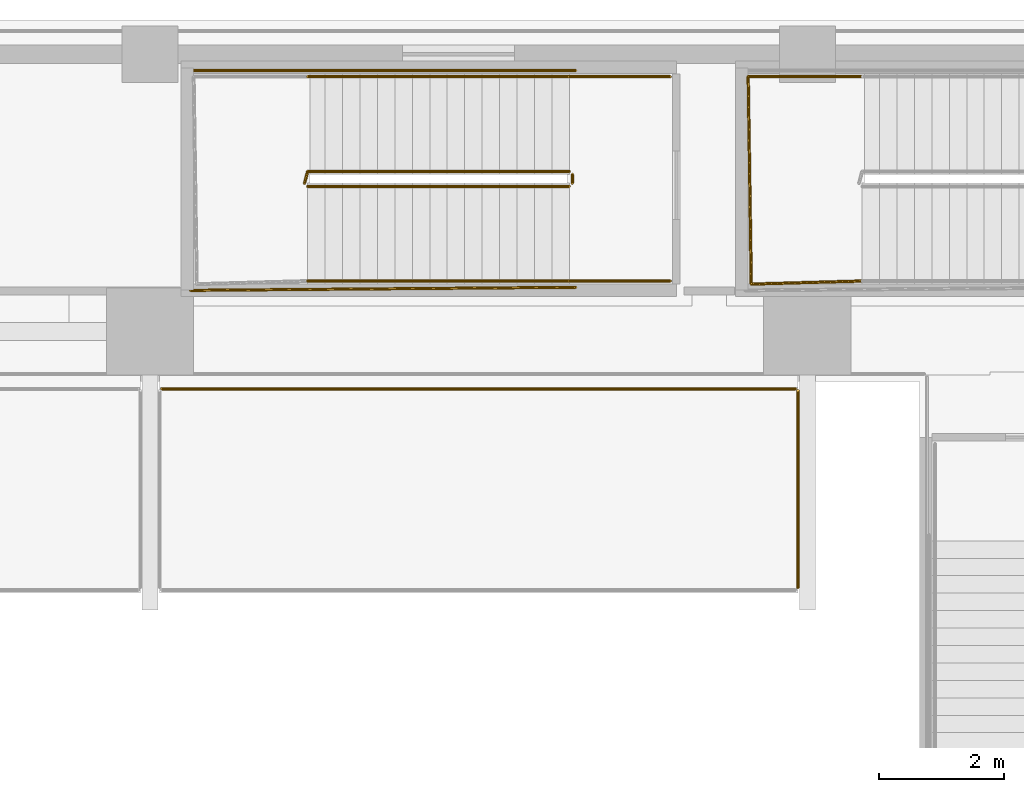
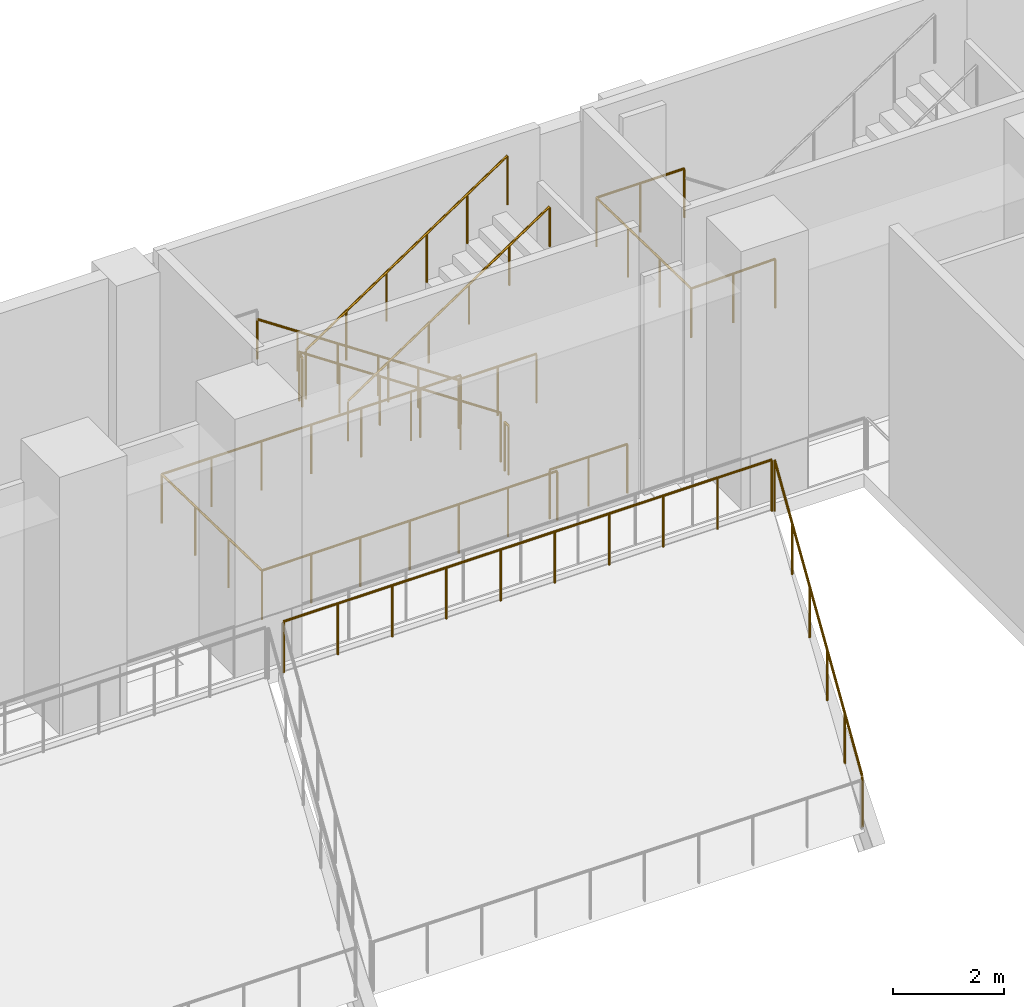
# One storey, part 25 of 30: 11 railings.
"""IFC4 building model written with IfcOpenShell, lengths in metres."""

from ifc_helpers import new_model, si_unit, direction, frame, origin, origin_2d, place, context, subcontext, project, spatial, circle, extrude, material, layer, layer_set, type_object, element, save


model = new_model("IFC4")

# Units and contexts
model_context = context("Model", 3, precision=1e-05, world=origin(), true_north=direction((0.0, 1.0)))
body_context = subcontext(model_context, "Body", "Model", "MODEL_VIEW")
ifc_project = project(units=[si_unit("LENGTHUNIT", "METRE"), si_unit("AREAUNIT", "SQUARE_METRE"), si_unit("VOLUMEUNIT", "CUBIC_METRE"), si_unit("PLANEANGLEUNIT", "RADIAN"), si_unit("MASSUNIT", "GRAM", prefix="KILO")], contexts=[model_context])

# Site, building, storey
site_placement = place(None, origin())
site = spatial("IfcSite", under=ifc_project, at=site_placement, CompositionType="ELEMENT")
building_placement = place(site_placement, origin())
building = spatial("IfcBuilding", under=site, at=building_placement, Name="Ndaravel Arena Tower", CompositionType="ELEMENT")
storey_placement = place(building_placement, frame((0.0, 0.0, 6.0)))
storey = spatial("IfcBuildingStorey", under=building, at=storey_placement, Name="L01", CompositionType="ELEMENT", Elevation=6.0)

# Railings
ifc_material_1 = material(Name="Steel S355", Category="steel")
ifc_layer_1 = layer(ifc_material_1, 0.06005859375)
ifc_layer_set_1 = layer_set([ifc_layer_1], Name="Steel S355")
railing_type_1 = type_object("IfcRailingType", Name="RAIL-STAIR-GD1100", PredefinedType="GUARDRAIL", material=ifc_layer_set_1)
railing_1_placement = place(storey_placement, frame((60.179931640625, 45.570068359375, 0.1875)))
element("IfcRailing", 1, at=railing_1_placement, inside=storey, type_object=railing_type_1, Name="L01 ST-A10 stair guard 1", PredefinedType="GUARDRAIL", context=body_context, shape_type="SweptSolid", body=[
    extrude(circle(Radius=0.02392578125, at=origin_2d()), frame((0.0, 0.0, 1.076171875), z_axis=(-0.830904186295, 0.0, 0.556415522067), x_axis=(0.0, -1.0, 0.0)), (0.0, 0.0, 1.0), 5.0546875),
    extrude(circle(Radius=0.02392578125, at=origin_2d()), frame((-4.199951171875, 0.0, 3.888671875), z_axis=(-0.25449329928, -0.967074537263, 0.0), x_axis=(0.967074537263, -0.25449329928, 0.0)), (0.0, 0.0, 1.0), 0.19677734375),
    extrude(circle(Radius=0.02099609375, at=origin_2d()), origin(), (0.0, 0.0, 1.0), 1.052001953125),
    extrude(circle(Radius=0.02099609375, at=origin_2d()), frame((-0.840087890625, 0.0, 0.5625)), (0.0, 0.0, 1.0), 1.052001953125),
    extrude(circle(Radius=0.02099609375, at=origin_2d()), frame((-1.679931640625, 0.0, 1.125)), (0.0, 0.0, 1.0), 1.052001953125),
    extrude(circle(Radius=0.02099609375, at=origin_2d()), frame((-2.52001953125, 0.0, 1.6875)), (0.0, 0.0, 1.0), 1.052001953125),
    extrude(circle(Radius=0.02099609375, at=origin_2d()), frame((-3.35986328125, 0.0, 2.25)), (0.0, 0.0, 1.0), 1.052001953125),
    extrude(circle(Radius=0.02099609375, at=origin_2d()), frame((-4.199951171875, 0.0, 2.8125)), (0.0, 0.0, 1.0), 1.052001953125),
    extrude(circle(Radius=0.02099609375, at=origin_2d()), frame((-4.25, -0.190185546875, 2.8125)), (0.0, 0.0, 1.0), 1.052001953125),
])
railing_2_placement = place(storey_placement, frame((55.97998046875, 45.330078125, 3.1875)))
element("IfcRailing", 2, at=railing_2_placement, inside=storey, type_object=railing_type_1, Name="L01 ST-A10 stair guard 3", PredefinedType="GUARDRAIL", context=body_context, shape_type="SweptSolid", body=[
    extrude(circle(Radius=0.02392578125, at=origin_2d()), frame((0.0, 0.0, 1.076171875), z_axis=(0.830904186295, 0.0, 0.556415522067), x_axis=(0.0, 1.0, 0.0)), (0.0, 0.0, 1.0), 5.0546875),
    extrude(circle(Radius=0.02099609375, at=origin_2d()), origin(), (0.0, 0.0, 1.0), 1.052001953125),
    extrude(circle(Radius=0.02099609375, at=origin_2d()), frame((0.840087890625, 0.0, 0.5625)), (0.0, 0.0, 1.0), 1.052001953125),
    extrude(circle(Radius=0.02099609375, at=origin_2d()), frame((1.679931640625, 0.0, 1.125)), (0.0, 0.0, 1.0), 1.052001953125),
    extrude(circle(Radius=0.02099609375, at=origin_2d()), frame((2.52001953125, 0.0, 1.6875)), (0.0, 0.0, 1.0), 1.052001953125),
    extrude(circle(Radius=0.02099609375, at=origin_2d()), frame((3.35986328125, 0.0, 2.25)), (0.0, 0.0, 1.0), 1.052001953125),
    extrude(circle(Radius=0.02099609375, at=origin_2d()), frame((4.199951171875, 0.0, 2.8125)), (0.0, 0.0, 1.0), 1.052001953125),
])
railing_3_placement = place(storey_placement, frame((60.22998046875, 45.52001953125, 0.0)))
element("IfcRailing", 3, at=railing_3_placement, inside=storey, type_object=railing_type_1, Name="L01 ST-A10 stair guard 4", PredefinedType="GUARDRAIL", context=body_context, shape_type="SweptSolid", body=[
    extrude(circle(Radius=0.02392578125, at=origin_2d()), frame((0.0, 0.0, 1.076171875), z_axis=(0.0, -1.0, 0.0), x_axis=(1.0, 0.0, 0.0)), (0.0, 0.0, 1.0), 0.14013671875),
    extrude(circle(Radius=0.02099609375, at=origin_2d()), origin(), (0.0, 0.0, 1.0), 1.052001953125),
    extrude(circle(Radius=0.02099609375, at=origin_2d()), frame((0.0, -0.14013671875, 0.0)), (0.0, 0.0, 1.0), 1.052001953125),
])
for number, where, name in (
    (4, (61.800048828125, 47.090087890625, 0.0), "L01 ST-A10 stair guard 5"),
    (5, (61.800048828125, 43.81005859375, 0.0), "L01 ST-A10 stair guard 6"),
):
    element("IfcRailing", number, at=place(storey_placement, frame(where)), inside=storey, type_object=railing_type_1, Name=name, PredefinedType="GUARDRAIL", context=body_context, shape_type="SweptSolid", body=[
        extrude(circle(Radius=0.02392578125, at=origin_2d()), frame((0.0, 0.0, 1.076171875), z_axis=(-1.0, 0.0, 0.0), x_axis=(0.0, -1.0, 0.0)), (0.0, 0.0, 1.0), 1.6201171875),
        extrude(circle(Radius=0.02099609375, at=origin_2d()), origin(), (0.0, 0.0, 1.0), 1.052001953125),
        extrude(circle(Radius=0.02099609375, at=origin_2d()), frame((-0.81005859375, 0.0, 0.0)), (0.0, 0.0, 1.0), 1.052001953125),
        extrude(circle(Radius=0.02099609375, at=origin_2d()), frame((-1.6201171875, 0.0, 0.0)), (0.0, 0.0, 1.0), 1.052001953125),
    ])
railing_4_placement = place(storey_placement, frame((60.280029296875, 47.18994140625, 0.0)))
element("IfcRailing", 6, at=railing_4_placement, inside=storey, type_object=railing_type_1, Name="L01 ST-A10 stair guard 7", PredefinedType="GUARDRAIL", context=body_context, shape_type="SweptSolid", body=[
    extrude(circle(Radius=0.02392578125, at=origin_2d()), frame((0.0, 0.0, 1.076171875), z_axis=(-1.0, 0.0, 0.0), x_axis=(0.0, -1.0, 0.0)), (0.0, 0.0, 1.0), 6.22998046875),
    extrude(circle(Radius=0.02392578125, at=origin_2d()), frame((-6.22998046875, 0.0, 1.076171875), z_axis=(0.014176595818, -0.999899507016, 0.0), x_axis=(0.999899507016, 0.014176595818, 0.0)), (0.0, 0.0, 1.0), 3.5302734375),
    extrude(circle(Radius=0.02392578125, at=origin_2d()), frame((-6.179931640625, -3.530029296875, 1.076171875), z_axis=(0.999967207908, 0.008098339889, 0.0), x_axis=(-0.008098339889, 0.999967207908, 0.0)), (0.0, 0.0, 1.0), 6.18017578125),
    extrude(circle(Radius=0.02099609375, at=origin_2d()), origin(), (0.0, 0.0, 1.0), 1.052001953125),
    extrude(circle(Radius=0.02099609375, at=origin_2d()), frame((-1.038330078125, 0.0, 0.0)), (0.0, 0.0, 1.0), 1.052001953125),
    extrude(circle(Radius=0.02099609375, at=origin_2d()), frame((-2.07666015625, 0.0, 0.0)), (0.0, 0.0, 1.0), 1.052001953125),
    extrude(circle(Radius=0.02099609375, at=origin_2d()), frame((-3.114990234375, 0.0, 0.0)), (0.0, 0.0, 1.0), 1.052001953125),
    extrude(circle(Radius=0.02099609375, at=origin_2d()), frame((-4.1533203125, 0.0, 0.0)), (0.0, 0.0, 1.0), 1.052001953125),
    extrude(circle(Radius=0.02099609375, at=origin_2d()), frame((-5.191650390625, 0.0, 0.0)), (0.0, 0.0, 1.0), 1.052001953125),
    extrude(circle(Radius=0.02099609375, at=origin_2d()), frame((-6.22998046875, 0.0, 0.0)), (0.0, 0.0, 1.0), 1.052001953125),
    extrude(circle(Radius=0.02099609375, at=origin_2d()), frame((-6.21337890625, -1.1767578125, 0.0)), (0.0, 0.0, 1.0), 1.052001953125),
    extrude(circle(Radius=0.02099609375, at=origin_2d()), frame((-6.196533203125, -2.353271484375, 0.0)), (0.0, 0.0, 1.0), 1.052001953125),
    extrude(circle(Radius=0.02099609375, at=origin_2d()), frame((-6.179931640625, -3.530029296875, 0.0)), (0.0, 0.0, 1.0), 1.052001953125),
    extrude(circle(Radius=0.02099609375, at=origin_2d()), frame((-5.14990234375, -3.521728515625, 0.0)), (0.0, 0.0, 1.0), 1.052001953125),
    extrude(circle(Radius=0.02099609375, at=origin_2d()), frame((-4.119873046875, -3.513427734375, 0.0)), (0.0, 0.0, 1.0), 1.052001953125),
    extrude(circle(Radius=0.02099609375, at=origin_2d()), frame((-3.08984375, -3.5048828125, 0.0)), (0.0, 0.0, 1.0), 1.052001953125),
    extrude(circle(Radius=0.02099609375, at=origin_2d()), frame((-2.06005859375, -3.49658203125, 0.0)), (0.0, 0.0, 1.0), 1.052001953125),
    extrude(circle(Radius=0.02099609375, at=origin_2d()), frame((-1.030029296875, -3.48828125, 0.0)), (0.0, 0.0, 1.0), 1.052001953125),
    extrude(circle(Radius=0.02099609375, at=origin_2d()), frame((0.0, -3.47998046875, 0.0)), (0.0, 0.0, 1.0), 1.052001953125),
])
railing_5_placement = place(storey_placement, frame((64.8798828125, 47.090087890625, 3.0)))
element("IfcRailing", 7, at=railing_5_placement, inside=storey, type_object=railing_type_1, Name="L01 ST-A11 stair guard 2", PredefinedType="GUARDRAIL", context=body_context, shape_type="SweptSolid", body=[
    extrude(circle(Radius=0.02392578125, at=origin_2d()), frame((0.0, 0.0, 1.076171875), z_axis=(-1.0, 0.0, 0.0), x_axis=(0.0, -1.0, 0.0)), (0.0, 0.0, 1.0), 1.829833984375),
    extrude(circle(Radius=0.02392578125, at=origin_2d()), frame((-1.829833984375, 0.0, 1.076171875), z_axis=(0.015027628384, -0.999887078817, 0.0), x_axis=(0.999887078817, 0.015027628384, 0.0)), (0.0, 0.0, 1.0), 3.33056640625),
    extrude(circle(Radius=0.02392578125, at=origin_2d()), frame((-1.77978515625, -3.330078125, 1.076171875), z_axis=(0.999604847084, 0.028109601324, 0.0), x_axis=(-0.028109601324, 0.999604847084, 0.0)), (0.0, 0.0, 1.0), 1.780517578125),
    extrude(circle(Radius=0.02099609375, at=origin_2d()), origin(), (0.0, 0.0, 1.0), 1.052001953125),
    extrude(circle(Radius=0.02099609375, at=origin_2d()), frame((-0.9150390625, 0.0, 0.0)), (0.0, 0.0, 1.0), 1.052001953125),
    extrude(circle(Radius=0.02099609375, at=origin_2d()), frame((-1.829833984375, 0.0, 0.0)), (0.0, 0.0, 1.0), 1.052001953125),
    extrude(circle(Radius=0.02099609375, at=origin_2d()), frame((-1.813232421875, -1.110107421875, 0.0)), (0.0, 0.0, 1.0), 1.052001953125),
    extrude(circle(Radius=0.02099609375, at=origin_2d()), frame((-1.79638671875, -2.219970703125, 0.0)), (0.0, 0.0, 1.0), 1.052001953125),
    extrude(circle(Radius=0.02099609375, at=origin_2d()), frame((-1.77978515625, -3.330078125, 0.0)), (0.0, 0.0, 1.0), 1.052001953125),
    extrude(circle(Radius=0.02099609375, at=origin_2d()), frame((-0.889892578125, -3.30517578125, 0.0)), (0.0, 0.0, 1.0), 1.052001953125),
    extrude(circle(Radius=0.02099609375, at=origin_2d()), frame((0.0, -3.280029296875, 0.0)), (0.0, 0.0, 1.0), 1.052001953125),
])
ifc_material_2 = material(Name="Steel S355", Category="steel")
ifc_layer_2 = layer(ifc_material_2, 0.050048828125)
ifc_layer_set_2 = layer_set([ifc_layer_2], Name="Steel S355")
railing_type_2 = type_object("IfcRailingType", Name="RAIL-STAIR-HR920", PredefinedType="HANDRAIL", material=ifc_layer_set_2)
railing_6_placement = place(storey_placement, frame((60.179931640625, 47.090087890625, 0.1875)))
element("IfcRailing", 8, at=railing_6_placement, inside=storey, type_object=railing_type_2, Name="L01 ST-A10 stair handrail 1", PredefinedType="HANDRAIL", context=body_context, shape_type="SweptSolid", body=[
    extrude(circle(Radius=0.02392578125, at=origin_2d()), frame((0.0, 0.0, 0.8759765625), z_axis=(-0.830904186295, 0.0, 0.556415522067), x_axis=(0.0, -1.0, 0.0)), (0.0, 0.0, 1.0), 5.0546875),
    extrude(circle(Radius=0.02099609375, at=origin_2d()), origin(), (0.0, 0.0, 1.0), 0.851806640625),
    extrude(circle(Radius=0.02099609375, at=origin_2d()), frame((-0.840087890625, 0.0, 0.5625)), (0.0, 0.0, 1.0), 0.851806640625),
    extrude(circle(Radius=0.02099609375, at=origin_2d()), frame((-1.679931640625, 0.0, 1.125)), (0.0, 0.0, 1.0), 0.851806640625),
    extrude(circle(Radius=0.02099609375, at=origin_2d()), frame((-2.52001953125, 0.0, 1.6875)), (0.0, 0.0, 1.0), 0.851806640625),
    extrude(circle(Radius=0.02099609375, at=origin_2d()), frame((-3.35986328125, 0.0, 2.25)), (0.0, 0.0, 1.0), 0.851806640625),
    extrude(circle(Radius=0.02099609375, at=origin_2d()), frame((-4.199951171875, 0.0, 2.8125)), (0.0, 0.0, 1.0), 0.851806640625),
])
railing_7_placement = place(storey_placement, frame((55.97998046875, 43.81005859375, 3.1875)))
element("IfcRailing", 9, at=railing_7_placement, inside=storey, type_object=railing_type_2, Name="L01 ST-A10 stair handrail 2", PredefinedType="HANDRAIL", context=body_context, shape_type="SweptSolid", body=[
    extrude(circle(Radius=0.02392578125, at=origin_2d()), frame((0.0, 0.0, 0.8759765625), z_axis=(0.830904186295, 0.0, 0.556415522067), x_axis=(0.0, 1.0, 0.0)), (0.0, 0.0, 1.0), 5.0546875),
    extrude(circle(Radius=0.02099609375, at=origin_2d()), origin(), (0.0, 0.0, 1.0), 0.851806640625),
    extrude(circle(Radius=0.02099609375, at=origin_2d()), frame((0.840087890625, 0.0, 0.5625)), (0.0, 0.0, 1.0), 0.851806640625),
    extrude(circle(Radius=0.02099609375, at=origin_2d()), frame((1.679931640625, 0.0, 1.125)), (0.0, 0.0, 1.0), 0.851806640625),
    extrude(circle(Radius=0.02099609375, at=origin_2d()), frame((2.52001953125, 0.0, 1.6875)), (0.0, 0.0, 1.0), 0.851806640625),
    extrude(circle(Radius=0.02099609375, at=origin_2d()), frame((3.35986328125, 0.0, 2.25)), (0.0, 0.0, 1.0), 0.851806640625),
    extrude(circle(Radius=0.02099609375, at=origin_2d()), frame((4.199951171875, 0.0, 2.8125)), (0.0, 0.0, 1.0), 0.851806640625),
])
ifc_material_3 = material(Name="Glazing", Category="glass")
ifc_layer_3 = layer(ifc_material_3, 0.070068359375)
ifc_layer_set_3 = layer_set([ifc_layer_3], Name="Glazing")
railing_type_3 = type_object("IfcRailingType", Name="RAIL-TERRACE-1150", PredefinedType="BALUSTRADE", material=ifc_layer_set_3)
railing_8_placement = place(storey_placement, frame((63.85009765625, 38.889892578125, -5.090087890625)))
element("IfcRailing", 10, at=railing_8_placement, inside=storey, type_object=railing_type_3, Name="L01 Lower North Stand Guard 4E", PredefinedType="BALUSTRADE", context=body_context, shape_type="SweptSolid", body=[
    extrude(circle(Radius=0.02392578125, at=origin_2d()), frame((0.0, 0.0, 1.1259765625), z_axis=(0.0, 0.531223134667, 0.847231952416), x_axis=(-1.0, 0.0, 0.0)), (0.0, 0.0, 1.0), 5.94873046875),
    extrude(circle(Radius=0.02099609375, at=origin_2d()), origin(), (0.0, 0.0, 1.0), 1.101806640625),
    extrude(circle(Radius=0.02099609375, at=origin_2d()), frame((0.0, 0.632080078125, 1.008056640625)), (0.0, 0.0, 1.0), 1.101806640625),
    extrude(circle(Radius=0.02099609375, at=origin_2d()), frame((0.0, 1.26416015625, 2.01611328125)), (0.0, 0.0, 1.0), 1.101806640625),
    extrude(circle(Radius=0.02099609375, at=origin_2d()), frame((0.0, 1.89599609375, 3.02392578125)), (0.0, 0.0, 1.0), 1.101806640625),
    extrude(circle(Radius=0.02099609375, at=origin_2d()), frame((0.0, 2.528076171875, 4.031982421875)), (0.0, 0.0, 1.0), 1.101806640625),
    extrude(circle(Radius=0.02099609375, at=origin_2d()), frame((0.0, 3.16015625, 5.0400390625)), (0.0, 0.0, 1.0), 1.101806640625),
])
railing_9_placement = place(storey_placement, frame((53.639892578125, 42.080078125, -0.050048828125)))
element("IfcRailing", 11, at=railing_9_placement, inside=storey, type_object=railing_type_3, Name="L01 Lower North Stand Guard 4T", PredefinedType="BALUSTRADE", context=body_context, shape_type="SweptSolid", body=[
    extrude(circle(Radius=0.02392578125, at=origin_2d()), frame((0.0, 0.0, 1.1259765625), z_axis=(1.0, 0.0, 0.0), x_axis=(0.0, 1.0, 0.0)), (0.0, 0.0, 1.0), 10.170166015625),
    extrude(circle(Radius=0.02099609375, at=origin_2d()), origin(), (0.0, 0.0, 1.0), 1.101806640625),
    extrude(circle(Radius=0.02099609375, at=origin_2d()), frame((1.130126953125, 0.0, 0.0)), (0.0, 0.0, 1.0), 1.101806640625),
    extrude(circle(Radius=0.02099609375, at=origin_2d()), frame((2.260009765625, 0.0, 0.0)), (0.0, 0.0, 1.0), 1.101806640625),
    extrude(circle(Radius=0.02099609375, at=origin_2d()), frame((3.39013671875, 0.0, 0.0)), (0.0, 0.0, 1.0), 1.101806640625),
    extrude(circle(Radius=0.02099609375, at=origin_2d()), frame((4.52001953125, 0.0, 0.0)), (0.0, 0.0, 1.0), 1.101806640625),
    extrude(circle(Radius=0.02099609375, at=origin_2d()), frame((5.650146484375, 0.0, 0.0)), (0.0, 0.0, 1.0), 1.101806640625),
    extrude(circle(Radius=0.02099609375, at=origin_2d()), frame((6.780029296875, 0.0, 0.0)), (0.0, 0.0, 1.0), 1.101806640625),
    extrude(circle(Radius=0.02099609375, at=origin_2d()), frame((7.91015625, 0.0, 0.0)), (0.0, 0.0, 1.0), 1.101806640625),
    extrude(circle(Radius=0.02099609375, at=origin_2d()), frame((9.0400390625, 0.0, 0.0)), (0.0, 0.0, 1.0), 1.101806640625),
    extrude(circle(Radius=0.02099609375, at=origin_2d()), frame((10.170166015625, 0.0, 0.0)), (0.0, 0.0, 1.0), 1.101806640625),
])

save(model, "model.ifc")
